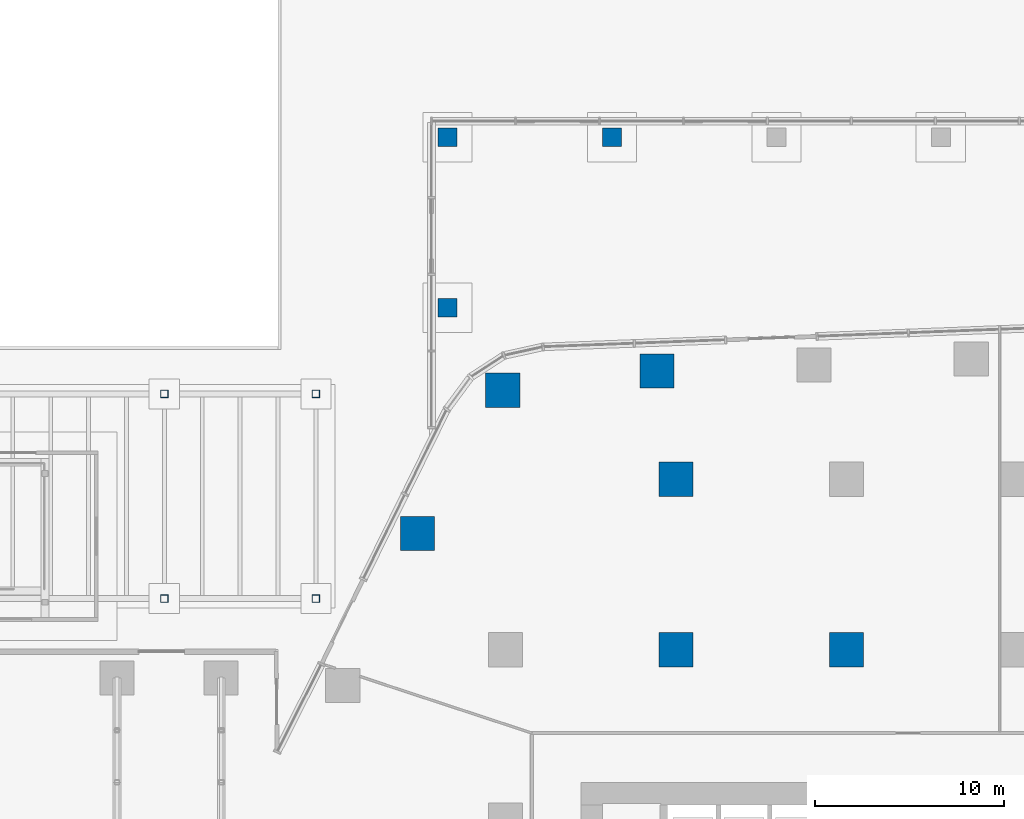
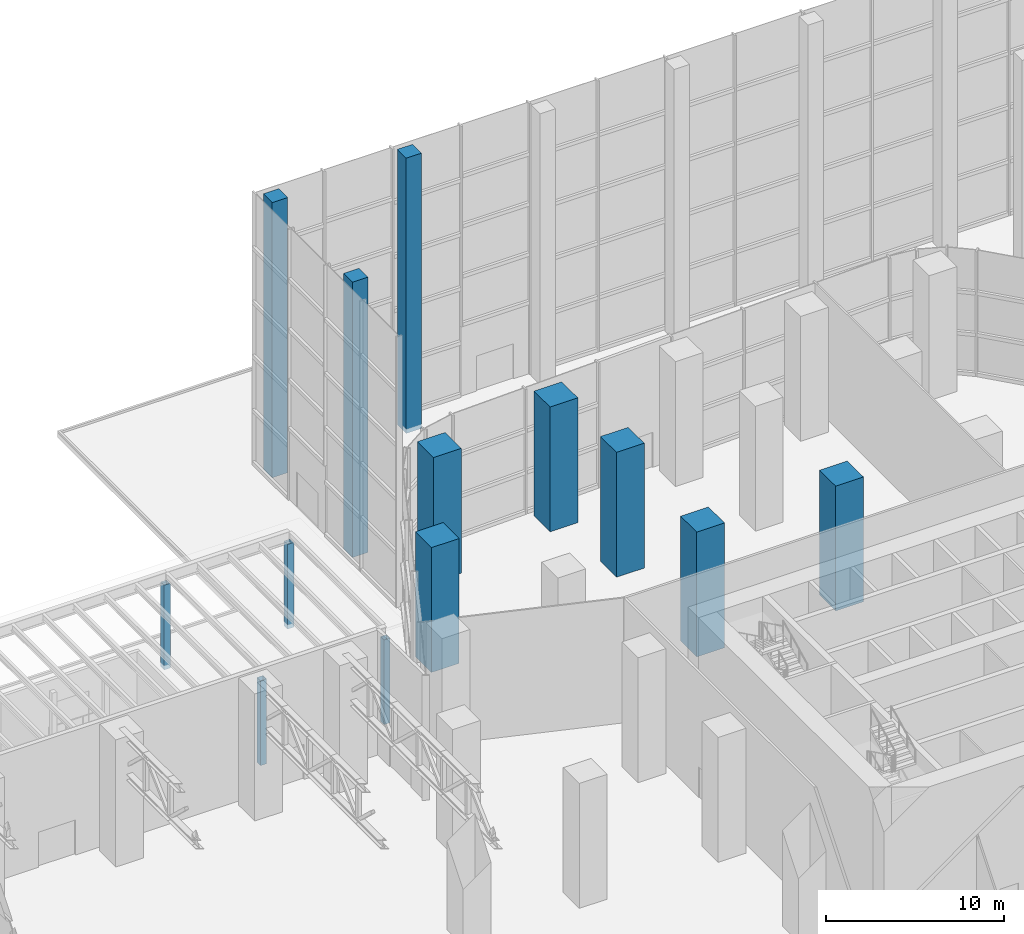
# One storey, part 7 of 40: 13 columns.
"""IFC4 building model written with IfcOpenShell, lengths in metres."""

from ifc_helpers import new_model, si_unit, direction, frame, origin, origin_2d, place, context, subcontext, project, spatial, rectangle, hollow_rectangle, extrude, material, material_profile, profile_set, type_object, element, save


model = new_model("IFC4")

# Units and contexts
model_context = context("Model", 3, precision=1e-05, world=origin(), true_north=direction((0.0, 1.0)))
body_context = subcontext(model_context, "Body", "Model", "MODEL_VIEW")
ifc_project = project(units=[si_unit("LENGTHUNIT", "METRE"), si_unit("AREAUNIT", "SQUARE_METRE"), si_unit("VOLUMEUNIT", "CUBIC_METRE"), si_unit("PLANEANGLEUNIT", "RADIAN"), si_unit("MASSUNIT", "GRAM", prefix="KILO")], contexts=[model_context])

# Site, building, storey
site_placement = place(None, origin())
site = spatial("IfcSite", under=ifc_project, at=site_placement, CompositionType="ELEMENT")
building_placement = place(site_placement, origin())
building = spatial("IfcBuilding", under=site, at=building_placement, Name="Dongbaek Canopy Tower", CompositionType="ELEMENT")
storey_placement = place(building_placement, origin())
storey = spatial("IfcBuildingStorey", under=building, at=storey_placement, Name="L00", CompositionType="ELEMENT", Elevation=0.0)

# Columns
ifc_material_1 = material(Name="Concrete C80", Category="concrete")
ifc_material_profile_1 = material_profile(ifc_material_1, rectangle(XDim=1.800048828125, YDim=1.800048828125, at=origin_2d()), Name="RC COLUMN 1800x1800 C80")
ifc_profile_set_1 = profile_set([ifc_material_profile_1], Name="Concrete C80")
column_type_1 = type_object("IfcColumnType", Name="RC COLUMN 1800x1800 C80", PredefinedType="COLUMN", material=ifc_profile_set_1)
for number, where, z_axis, x_axis, name in (
    (1, (-22.64794921875, 24.125, 0.0), (0.0, 0.0, 1.0), (1.0, 0.0, 0.0), "COL:CP-13:L00"),
    (2, (-18.138916015625, 31.698974609375, 0.0), (0.0, 0.0, 1.0), (1.0, 0.0, 0.0), "COL:CP-14:L00"),
    (3, (-10.006103515625, 32.714111328125, 0.0), (0.0, 0.0, 1.0), (1.0, 0.0, 0.0), "COL:CP-15:L00"),
    (4, (-9.0, 18.0, 0.0), (0.0, 0.0, 1.0), (1.0, 0.0, 0.0), "COL:CIP-10:L00"),
    (5, (-9.0, 27.0, 0.0), (0.0, 0.0, 1.0), (1.0, 0.0, 0.0), "COL:CIP-11:L00"),
    (6, (0.0, 18.0, 0.0), (0.0, 0.0, 1.0), (1.0, 0.0, 0.0), "COL:CIP-14:L00"),
):
    element("IfcColumn", number, at=place(storey_placement, frame(where, z_axis=z_axis, x_axis=x_axis)), inside=storey, type_object=column_type_1, Name=name, PredefinedType="COLUMN", context=body_context, shape_type="SweptSolid", body=[
        extrude(rectangle(XDim=1.800048828125, YDim=1.800048828125, at=origin_2d()), origin(), (0.0, 0.0, 1.0), 8.550048828125),
    ])
ifc_material_2 = material(Name="Concrete C60", Category="concrete")
ifc_material_profile_2 = material_profile(ifc_material_2, rectangle(XDim=1.0, YDim=1.0, at=origin_2d()), Name="RC HALL COLUMN 1000x1000 C60")
ifc_profile_set_2 = profile_set([ifc_material_profile_2], Name="Concrete C60")
column_type_2 = type_object("IfcColumnType", Name="RC HALL COLUMN 1000x1000 C60", PredefinedType="COLUMN", material=ifc_profile_set_2)
for number, where, z_axis, x_axis, name in (
    (7, (-21.050048828125, 45.050048828125, -0.300048828125), (0.0, 0.0, 1.0), (1.0, 0.0, 0.0), "Hall column 1"),
    (8, (-12.3720703125, 45.050048828125, -0.300048828125), (0.0, 0.0, 1.0), (1.0, 0.0, 0.0), "Hall column 2"),
    (9, (-21.050048828125, 36.050048828125, -0.300048828125), (0.0, 0.0, 1.0), (1.0, 0.0, 0.0), "Hall column 11"),
):
    element("IfcColumn", number, at=place(storey_placement, frame(where, z_axis=z_axis, x_axis=x_axis)), inside=storey, type_object=column_type_2, Name=name, PredefinedType="COLUMN", context=body_context, shape_type="SweptSolid", body=[
        extrude(rectangle(XDim=1.0, YDim=1.0, at=origin_2d()), origin(), (0.0, 0.0, 1.0), 18.85009765625),
    ])
ifc_material_3 = material(Name="Steel S355", Category="steel")
ifc_material_profile_3 = material_profile(ifc_material_3, hollow_rectangle(XDim=0.39990234375, YDim=0.39990234375, WallThickness=0.01611328125, at=origin_2d()), Name="STATION CANOPY COLUMN 400x400x16 Steel S355")
ifc_profile_set_3 = profile_set([ifc_material_profile_3], Name="Steel S355")
column_type_3 = type_object("IfcColumnType", Name="STATION CANOPY COLUMN 400x400x16 Steel S355", PredefinedType="COLUMN", material=ifc_profile_set_3)
for number, where, z_axis, x_axis, name in (
    (10, (-36.0, 20.699951171875, -0.300048828125), (0.0, 0.0, 1.0), (1.0, 0.0, 0.0), "Station canopy B column 5"),
    (11, (-36.0, 31.5, -0.300048828125), (0.0, 0.0, 1.0), (1.0, 0.0, 0.0), "Station canopy B column 6"),
    (12, (-28.0, 20.699951171875, -0.300048828125), (0.0, 0.0, 1.0), (1.0, 0.0, 0.0), "Station canopy B column 7"),
    (13, (-28.0, 31.5, -0.300048828125), (0.0, 0.0, 1.0), (1.0, 0.0, 0.0), "Station canopy B column 8"),
):
    element("IfcColumn", number, at=place(storey_placement, frame(where, z_axis=z_axis, x_axis=x_axis)), inside=storey, type_object=column_type_3, Name=name, PredefinedType="COLUMN", context=body_context, shape_type="SweptSolid", body=[
        extrude(hollow_rectangle(XDim=0.39990234375, YDim=0.39990234375, WallThickness=0.01611328125, at=origin_2d()), origin(), (0.0, 0.0, 1.0), 5.800048828125),
    ])

save(model, "model.ifc")
